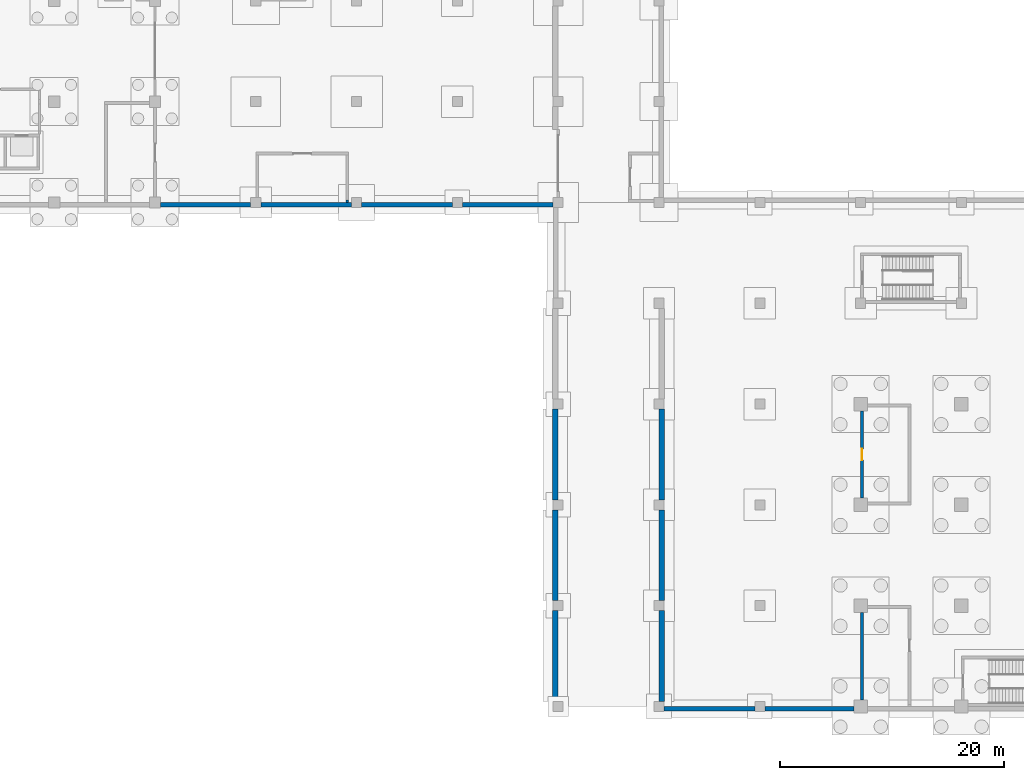
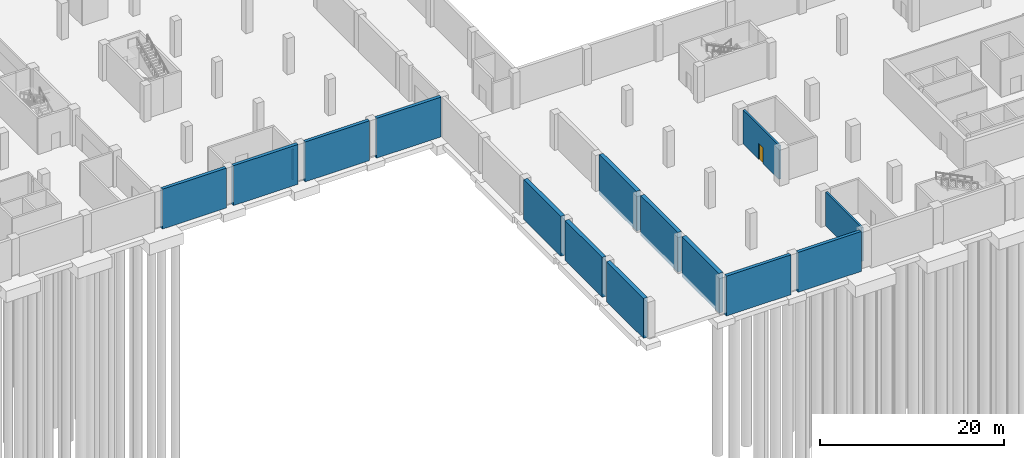
# One storey, part 7 of 17: 15 walls, 1 door, 1 opening.
"""IFC4 building model written with IfcOpenShell, lengths in metres."""

from ifc_helpers import new_model, si_unit, direction, frame, frame_2d, origin, place, context, subcontext, project, spatial, rectangle, extrude, material, layer, layer_set, type_object, element, fill, save


model = new_model("IFC4")

# Units and contexts
model_context = context("Model", 3, precision=1e-05, world=origin(), true_north=direction((0.0, 1.0)))
body_context = subcontext(model_context, "Body", "Model", "MODEL_VIEW")
ifc_project = project(units=[si_unit("LENGTHUNIT", "METRE"), si_unit("AREAUNIT", "SQUARE_METRE"), si_unit("VOLUMEUNIT", "CUBIC_METRE"), si_unit("PLANEANGLEUNIT", "RADIAN"), si_unit("MASSUNIT", "GRAM", prefix="KILO")], contexts=[model_context])

# Site, building, storey
site_placement = place(None, origin())
site = spatial("IfcSite", under=ifc_project, at=site_placement, CompositionType="ELEMENT")
building_placement = place(site_placement, origin())
building = spatial("IfcBuilding", under=site, at=building_placement, Name="Guidao Yard Department Store", CompositionType="ELEMENT")
storey_placement = place(building_placement, frame((0.0, 0.0, -9.89990234375)))
storey = spatial("IfcBuildingStorey", under=building, at=storey_placement, Name="B2", CompositionType="ELEMENT", Elevation=-9.89990234375)

# Walls
ifc_material_1 = material(Name="Concrete C40", Category="concrete")
ifc_layer_1 = layer(ifc_material_1, 0.39990234375)
ifc_layer_set_1 = layer_set([ifc_layer_1], Name="Retaining wall 400 C40")
wall_type_1 = type_object("IfcWallType", Name="Retaining wall 400 C40", PredefinedType="SOLIDWALL", material=ifc_layer_set_1)
wall_1_placement = place(storey_placement, frame((108.449951171875, -0.199951171875, -0.5), z_axis=(0.0, 0.0, 1.0), x_axis=(1.0, 0.0, 0.0)))
element("IfcWall", 1, at=wall_1_placement, inside=storey, type_object=wall_type_1, Name="Retaining wall B2-001", PredefinedType="SOLIDWALL", context=body_context, shape_type="SweptSolid", body=[
    extrude(rectangle(XDim=8.10009765625, YDim=0.39990234375, at=frame_2d((4.050048828125, 0.0))), origin(), (0.0, 0.0, 1.0), 5.2998046875),
])
wall_2_placement = place(storey_placement, frame((117.449951171875, -0.199951171875, -0.5), z_axis=(0.0, 0.0, 1.0), x_axis=(1.0, 0.0, 0.0)))
element("IfcWall", 2, at=wall_2_placement, inside=storey, type_object=wall_type_1, Name="Retaining wall B2-002", PredefinedType="SOLIDWALL", context=body_context, shape_type="SweptSolid", body=[
    extrude(rectangle(XDim=7.949951171875, YDim=0.39990234375, at=frame_2d((3.97509765625, 0.0))), origin(), (0.0, 0.0, 1.0), 5.2998046875),
])
wall_3_placement = place(storey_placement, frame((63.5, 44.800048828125, -0.5), z_axis=(0.0, 0.0, 1.0), x_axis=(1.0, 0.0, 0.0)))
element("IfcWall", 3, at=wall_3_placement, inside=storey, type_object=wall_type_1, Name="Retaining wall B2-025", PredefinedType="SOLIDWALL", context=body_context, shape_type="SweptSolid", body=[
    extrude(rectangle(XDim=8.050048828125, YDim=0.39990234375, at=frame_2d((4.02490234375, 0.0))), origin(), (0.0, 0.0, 1.0), 5.2998046875),
])
for number, where, z_axis, x_axis, name in (
    (4, (72.449951171875, 44.800048828125, -0.5), (0.0, 0.0, 1.0), (1.0, 0.0, 0.0), "Retaining wall B2-026"),
    (5, (81.449951171875, 44.800048828125, -0.5), (0.0, 0.0, 1.0), (1.0, 0.0, 0.0), "Retaining wall B2-027"),
    (6, (90.449951171875, 44.800048828125, -0.5), (0.0, 0.0, 1.0), (1.0, 0.0, 0.0), "Retaining wall B2-028"),
):
    element("IfcWall", number, at=place(storey_placement, frame(where, z_axis=z_axis, x_axis=x_axis)), inside=storey, type_object=wall_type_1, Name=name, PredefinedType="SOLIDWALL", context=body_context, shape_type="SweptSolid", body=[
        extrude(rectangle(XDim=8.10009765625, YDim=0.39990234375, at=frame_2d((4.050048828125, 0.0))), origin(), (0.0, 0.0, 1.0), 5.2998046875),
    ])
ifc_material_2 = material(Name="Concrete C40", Category="concrete")
ifc_layer_2 = layer(ifc_material_2, 0.5)
ifc_layer_set_2 = layer_set([ifc_layer_2], Name="Retaining wall 500 C40")
wall_type_2 = type_object("IfcWallType", Name="Retaining wall 500 C40", PredefinedType="SOLIDWALL", material=ifc_layer_set_2)
for number, where, z_axis, x_axis, name in (
    (7, (98.75, 0.449951171875, -0.5), (0.0, 0.0, 1.0), (0.0, 1.0, 0.0), "Ramp flank wall B2-008"),
    (8, (98.75, 9.449951171875, -0.5), (0.0, 0.0, 1.0), (0.0, 1.0, 0.0), "Ramp flank wall B2-010"),
    (9, (98.75, 18.449951171875, -0.5), (0.0, 0.0, 1.0), (0.0, 1.0, 0.0), "Ramp flank wall B2-012"),
    (10, (108.25, 0.449951171875, -0.5), (0.0, 0.0, 1.0), (0.0, 1.0, 0.0), "Ramp trench wall B2-062"),
    (11, (108.25, 9.449951171875, -0.5), (0.0, 0.0, 1.0), (0.0, 1.0, 0.0), "Ramp trench wall B2-063"),
    (12, (108.25, 18.449951171875, -0.5), (0.0, 0.0, 1.0), (0.0, 1.0, 0.0), "Ramp trench wall B2-064"),
):
    element("IfcWall", number, at=place(storey_placement, frame(where, z_axis=z_axis, x_axis=x_axis)), inside=storey, type_object=wall_type_2, Name=name, PredefinedType="SOLIDWALL", context=body_context, shape_type="SweptSolid", body=[
        extrude(rectangle(XDim=8.10009765625, YDim=0.5, at=frame_2d((4.050048828125, 0.0))), origin(), (0.0, 0.0, 1.0), 5.2998046875),
    ])
ifc_material_3 = material(Name="Concrete C40", Category="concrete")
ifc_layer_3 = layer(ifc_material_3, 0.25)
ifc_layer_set_3 = layer_set([ifc_layer_3], Name="Support Wall 250 Concrete C40")
wall_type_3 = type_object("IfcWallType", Name="Support Wall 250 Concrete C40", PredefinedType="SOLIDWALL", material=ifc_layer_set_3)
wall_4_placement = place(storey_placement, frame((80.175048828125, 45.0, 0.0), z_axis=(0.0, 0.0, 1.0), x_axis=(0.0, 1.0, 0.0)))
element("IfcWall", 13, at=wall_4_placement, inside=storey, type_object=wall_type_3, Name="pt.wall.B2.0058", PredefinedType="SOLIDWALL", context=body_context, shape_type="SweptSolid", body=[
    extrude(rectangle(XDim=0.199951171875, YDim=0.25, at=frame_2d((0.10009765625, 0.0))), origin(), (0.0, 0.0, 1.0), 4.0),
])
wall_5_placement = place(storey_placement, frame((126.125, 0.60009765625, 0.0), z_axis=(0.0, 0.0, 1.0), x_axis=(0.0, 1.0, 0.0)))
element("IfcWall", 14, at=wall_5_placement, inside=storey, type_object=wall_type_3, Name="pt.wall.B2.0068", PredefinedType="SOLIDWALL", context=body_context, shape_type="SweptSolid", body=[
    extrude(rectangle(XDim=7.7998046875, YDim=0.25, at=frame_2d((3.89990234375, 0.0))), origin(), (0.0, 0.0, 1.0), 4.5),
])

# Wall, opening, door
wall_6_placement = place(storey_placement, frame((126.125, 18.60009765625, 0.0), z_axis=(0.0, 0.0, 1.0), x_axis=(0.0, 1.0, 0.0)))
wall_6 = element("IfcWall", 15, at=wall_6_placement, inside=storey, type_object=wall_type_3, Name="pt.wall.B2.0069", PredefinedType="SOLIDWALL", context=body_context, shape_type="SweptSolid", body=[
    extrude(rectangle(XDim=7.7998046875, YDim=0.25, at=frame_2d((3.89990234375, 0.0))), origin(), (0.0, 0.0, 1.0), 4.5),
])
opening_placement = place(wall_6_placement, frame((4.39990234375, 0.0, 0.0), z_axis=(0.0, 0.0, 1.0), x_axis=(-1.0, 0.0, 0.0)))
opening = element("IfcOpeningElement", 16, at=opening_placement, cuts=wall_6, Name="Opening B2-418", PredefinedType="OPENING", context=body_context, shape_type="SweptSolid", body=[
    extrude(rectangle(XDim=1.0, YDim=2.10009765625, at=frame_2d((0.5, 1.050048828125))), frame((0.0, 0.135009765625, 0.0), z_axis=(0.0, -1.0, 0.0), x_axis=(1.0, 0.0, 0.0)), (0.0, 0.0, 1.0), 0.27001953125),
])
ifc_material_4 = material(Name="Timber door leaf with Steel Q235 frame", Category="steel")
door_type = type_object("IfcDoorType", Name="Door 1000 x 2100 FD60 Single Leaf", OperationType="SINGLE_SWING_LEFT", PredefinedType="DOOR", material=ifc_material_4)
door_placement = place(opening_placement, origin())
door = element("IfcDoor", 17, at=door_placement, inside=storey, type_object=door_type, Name="Door B2-418", OperationType="SINGLE_SWING_RIGHT", OverallHeight=2.10009765625, OverallWidth=1.0, PredefinedType="DOOR", context=body_context, shape_type="SweptSolid", body=[
    extrude(rectangle(XDim=1.0, YDim=2.10009765625, at=frame_2d((0.5, 1.050048828125))), frame((0.0, 0.02490234375, 0.0), z_axis=(0.0, -1.0, 0.0), x_axis=(1.0, 0.0, 0.0)), (0.0, 0.0, 1.0), 0.050048828125),
])
fill(opening, door)

save(model, "model.ifc")
